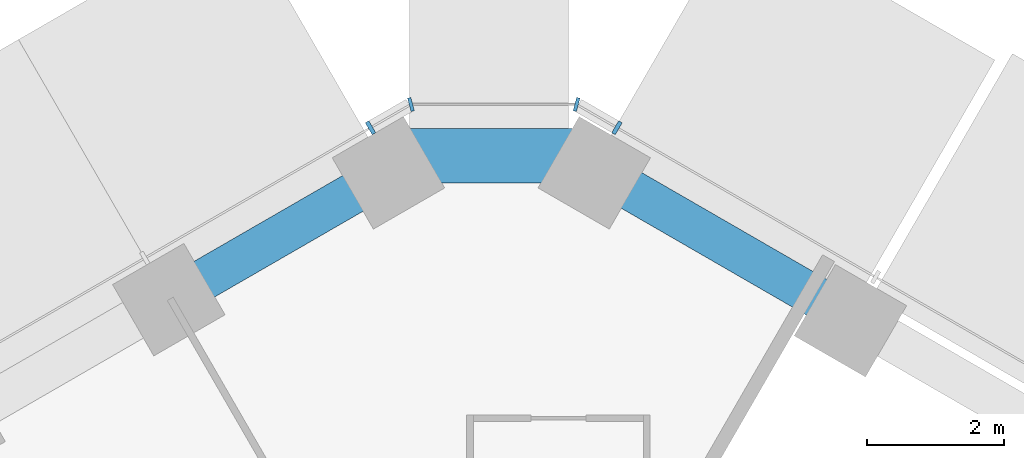
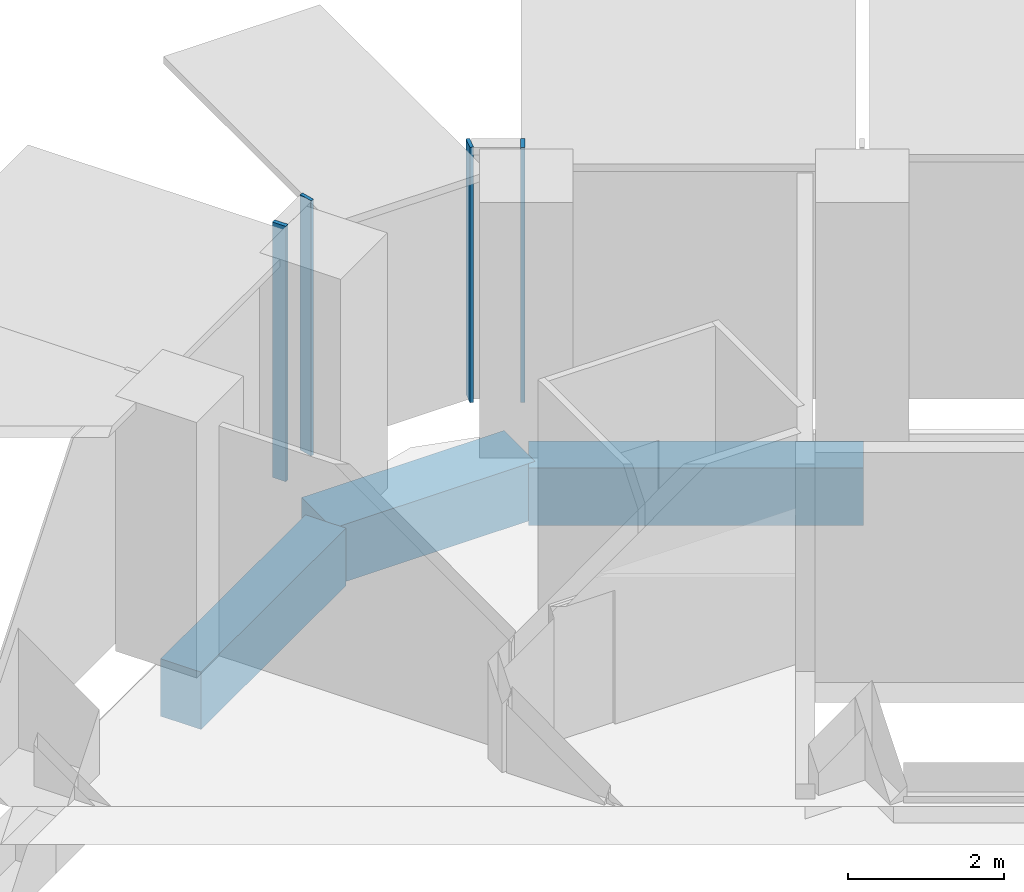
# One storey, part 8 of 28: 4 members, 3 beams, 3 elements without a shape of their own.
"""IFC4 building model written with IfcOpenShell, lengths in metres."""

from ifc_helpers import new_model, si_unit, direction, frame, origin, origin_2d, place, context, subcontext, project, spatial, rectangle, extrude, material, layer, layer_set, material_profile, profile_set, type_object, element, aggregate, save


model = new_model("IFC4")

# Units and contexts
model_context = context("Model", 3, precision=1e-05, world=origin(), true_north=direction((0.0, 1.0)))
body_context = subcontext(model_context, "Body", "Model", "MODEL_VIEW")
ifc_project = project(units=[si_unit("LENGTHUNIT", "METRE"), si_unit("AREAUNIT", "SQUARE_METRE"), si_unit("VOLUMEUNIT", "CUBIC_METRE"), si_unit("PLANEANGLEUNIT", "RADIAN"), si_unit("MASSUNIT", "GRAM", prefix="KILO")], contexts=[model_context])

# Site, building, storey
site_placement = place(None, origin())
site = spatial("IfcSite", under=ifc_project, at=site_placement, CompositionType="ELEMENT")
building_placement = place(site_placement, origin())
building = spatial("IfcBuilding", under=site, at=building_placement, Name="Ayvan Gate Tower", CompositionType="ELEMENT")
storey_placement = place(building_placement, frame((0.0, 0.0, 74.300048828125)))
storey = spatial("IfcBuildingStorey", under=building, at=storey_placement, Name="L19", CompositionType="ELEMENT", Elevation=74.300048828125)

# Beams
ifc_material_1 = material(Name="Concrete C40/50", Category="concrete")
ifc_material_profile_1 = material_profile(ifc_material_1, rectangle(XDim=0.800048828125, YDim=0.89990234375, at=origin_2d()), Name="RC 800x900")
ifc_profile_set_1 = profile_set([ifc_material_profile_1], Name="Concrete C40/50")
beam_type_1 = type_object("IfcBeamType", Name="Corner spandrel beam RC 800x900 C40/50", PredefinedType="BEAM", material=ifc_profile_set_1)
beam_1_placement = place(storey_placement, frame((0.6630859375, 22.870849609375, -0.85009765625), z_axis=(-1.0, 0.0, 0.0), x_axis=(0.0, -1.0, 0.0)))
element("IfcBeam", 1, at=beam_1_placement, inside=storey, type_object=beam_type_1, Name="SB-L19-12", PredefinedType="BEAM", context=body_context, shape_type="SweptSolid", body=[
    extrude(rectangle(XDim=0.800048828125, YDim=0.89990234375, at=origin_2d()), origin(), (0.0, 0.0, 1.0), 3.0),
])
ifc_material_profile_2 = material_profile(ifc_material_1, rectangle(XDim=0.60009765625, YDim=0.89990234375, at=origin_2d()), Name="RC 600x900")
ifc_profile_set_2 = profile_set([ifc_material_profile_2], Name="Concrete C40/50")
beam_type_2 = type_object("IfcBeamType", Name="Spandrel beam RC 600x900 C40/50", PredefinedType="BEAM", material=ifc_profile_set_2)
beam_2_placement = place(storey_placement, frame((4.387451171875, 20.50048828125, -0.85009765625), z_axis=(-0.866037162714, 0.499979632384, 0.0), x_axis=(-0.499979632384, -0.866037162714, 0.0)))
element("IfcBeam", 2, at=beam_2_placement, inside=storey, type_object=beam_type_2, Name="SB-L19-11", PredefinedType="BEAM", context=body_context, shape_type="SweptSolid", body=[
    extrude(rectangle(XDim=0.60009765625, YDim=0.89990234375, at=origin_2d()), origin(), (0.0, 0.0, 1.0), 4.300537109375),
])
beam_3_placement = place(storey_placement, frame((-2.3369140625, 22.650634765625, -0.85009765625), z_axis=(-0.86605009049, -0.499957238934, 0.0), x_axis=(0.499957238934, -0.86605009049, 0.0)))
element("IfcBeam", 3, at=beam_3_placement, inside=storey, type_object=beam_type_2, Name="SB-L19-13", PredefinedType="BEAM", context=body_context, shape_type="SweptSolid", body=[
    extrude(rectangle(XDim=0.60009765625, YDim=0.89990234375, at=origin_2d()), origin(), (0.0, 0.0, 1.0), 3.720458984375),
])

# Curtain wall, member
ifc_material_2 = material(Name="Bronze anodised aluminium", Category="aluminium")
ifc_layer_1 = layer(ifc_material_2, 0.199951171875)
ifc_layer_set_1 = layer_set([ifc_layer_1], Name="Bronze anodised aluminium")
curtain_wall_type_1 = type_object("IfcCurtainWallType", Name="Stick curtain wall CW-1", PredefinedType="NOTDEFINED", material=ifc_layer_set_1)
curtain_wall_1_placement = place(storey_placement, origin())
curtain_wall_1 = element("IfcCurtainWall", 4, at=curtain_wall_1_placement, inside=storey, type_object=curtain_wall_type_1, Name="Stick curtain wall CW-1 L19", PredefinedType="NOTDEFINED")
ifc_material_profile_3 = material_profile(ifc_material_2, rectangle(XDim=0.199951171875, YDim=0.06005859375, at=origin_2d()), Name="Stick curtain wall CW-1 mullion 200 x 60")
ifc_profile_set_3 = profile_set([ifc_material_profile_3], Name="Bronze anodised aluminium")
member_type_1 = type_object("IfcMemberType", Name="Stick curtain wall CW-1 mullion 200 x 60", PredefinedType="MULLION", material=ifc_profile_set_3)
member_1_placement = place(storey_placement, frame((0.9443359375, 23.279541015625, 0.0), z_axis=(0.0, 0.0, 1.0), x_axis=(0.5, 0.866025403784, 0.0)))
member_1 = element("IfcMember", 5, at=member_1_placement, type_object=member_type_1, Name="CW-1 mullion 6", PredefinedType="MULLION", context=body_context, shape_type="SweptSolid", body=[
    extrude(rectangle(XDim=0.199951171875, YDim=0.06005859375, at=origin_2d()), origin(), (0.0, 0.0, 1.0), 4.0),
])
aggregate(curtain_wall_1, [member_1])

curtain_wall_2_placement = place(storey_placement, origin())
curtain_wall_2 = element("IfcCurtainWall", 6, at=curtain_wall_2_placement, inside=storey, type_object=curtain_wall_type_1, Name="Stick curtain wall CW-1 L19", PredefinedType="NOTDEFINED")
member_2_placement = place(storey_placement, frame((-2.64794921875, 23.279541015625, 0.0), z_axis=(0.0, 0.0, 1.0), x_axis=(-0.5, 0.866025403784, 0.0)))
member_2 = element("IfcMember", 7, at=member_2_placement, type_object=member_type_1, Name="CW-1 mullion 1", PredefinedType="MULLION", context=body_context, shape_type="SweptSolid", body=[
    extrude(rectangle(XDim=0.199951171875, YDim=0.06005859375, at=origin_2d()), origin(), (0.0, 0.0, 1.0), 4.0),
])
aggregate(curtain_wall_2, [member_2])

# Curtain wall, members
ifc_layer_2 = layer(ifc_material_2, 0.199951171875)
ifc_layer_set_2 = layer_set([ifc_layer_2], Name="Bronze anodised aluminium")
curtain_wall_type_2 = type_object("IfcCurtainWallType", Name="Stick curtain wall CW-6", PredefinedType="NOTDEFINED", material=ifc_layer_set_2)
curtain_wall_3_placement = place(storey_placement, origin())
curtain_wall_3 = element("IfcCurtainWall", 8, at=curtain_wall_3_placement, inside=storey, type_object=curtain_wall_type_2, Name="Stick curtain wall CW-6 L19", PredefinedType="NOTDEFINED")
ifc_material_profile_4 = material_profile(ifc_material_2, rectangle(XDim=0.199951171875, YDim=0.050048828125, at=origin_2d()), Name="Stick curtain wall CW-6 mullion 200 x 50")
ifc_profile_set_4 = profile_set([ifc_material_profile_4], Name="Bronze anodised aluminium")
member_type_2 = type_object("IfcMemberType", Name="Stick curtain wall CW-6 mullion 200 x 50", PredefinedType="MULLION", material=ifc_profile_set_4)
member_3_placement = place(storey_placement, frame((0.35546875, 23.619384765625, 0.0), z_axis=(0.0, 0.0, 1.0), x_axis=(0.258819045103, 0.965925826289, 0.0)))
member_3 = element("IfcMember", 9, at=member_3_placement, type_object=member_type_2, Name="CW-6 mullion 2", PredefinedType="MULLION", context=body_context, shape_type="SweptSolid", body=[
    extrude(rectangle(XDim=0.199951171875, YDim=0.050048828125, at=origin_2d()), origin(), (0.0, 0.0, 1.0), 4.0),
])
member_4_placement = place(storey_placement, frame((-2.05908203125, 23.619384765625, 0.0), z_axis=(0.0, 0.0, 1.0), x_axis=(-0.258819045103, 0.965925826289, 0.0)))
member_4 = element("IfcMember", 10, at=member_4_placement, type_object=member_type_2, Name="CW-6 mullion 3", PredefinedType="MULLION", context=body_context, shape_type="SweptSolid", body=[
    extrude(rectangle(XDim=0.199951171875, YDim=0.050048828125, at=origin_2d()), origin(), (0.0, 0.0, 1.0), 4.0),
])
aggregate(curtain_wall_3, [member_3, member_4])

save(model, "model.ifc")
